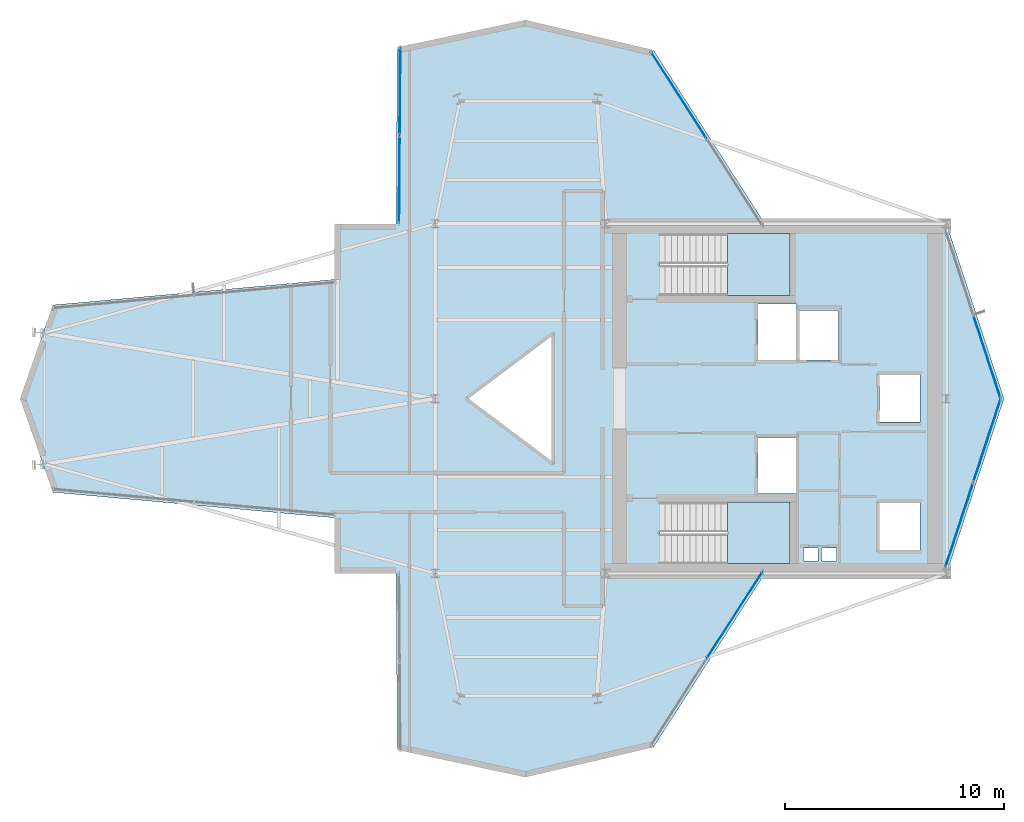
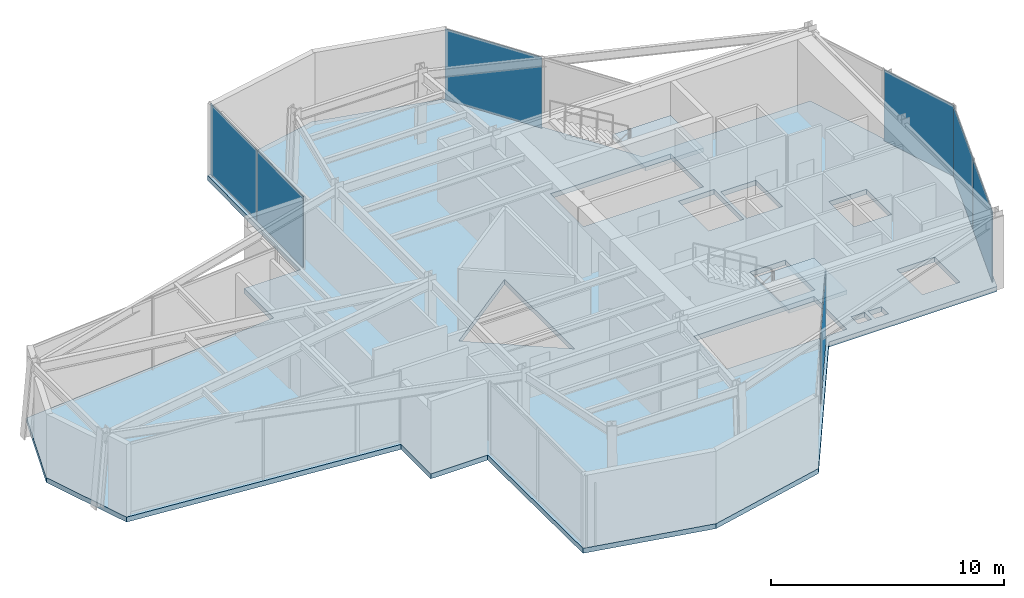
# One storey, part 19 of 23: 7 plates, 3 slabs, 7 elements without a shape of their own.
"""IFC4 building model written with IfcOpenShell, lengths in metres."""

from ifc_helpers import new_model, si_unit, direction, frame, origin, origin_2d, place, context, subcontext, project, spatial, polyline, rectangle, outline, extrude, material, layer, layer_set, type_object, element, aggregate, save


model = new_model("IFC4")

# Units and contexts
model_context = context("Model", 3, precision=1e-05, world=origin(), true_north=direction((0.0, 1.0)))
body_context = subcontext(model_context, "Body", "Model", "MODEL_VIEW")
ifc_project = project(units=[si_unit("LENGTHUNIT", "METRE"), si_unit("AREAUNIT", "SQUARE_METRE"), si_unit("VOLUMEUNIT", "CUBIC_METRE"), si_unit("PLANEANGLEUNIT", "RADIAN"), si_unit("MASSUNIT", "GRAM", prefix="KILO")], contexts=[model_context])

# Site, building, storey
site_placement = place(None, origin())
site = spatial("IfcSite", under=ifc_project, at=site_placement, CompositionType="ELEMENT")
building_placement = place(site_placement, origin())
building = spatial("IfcBuilding", under=site, at=building_placement, Name="Veymaron Broadcast Tower", CompositionType="ELEMENT")
storey_placement = place(building_placement, frame((0.0, 0.0, 199.949951171875)))
storey = spatial("IfcBuildingStorey", under=building, at=storey_placement, Name="L46", CompositionType="ELEMENT", Elevation=199.949951171875)

# Curtain wall, plates
ifc_material_1 = material(Name="Anodised aluminium AA 6063-T6 and laminated low-E dark glass", Category="aluminium")
ifc_layer_1 = layer(ifc_material_1, 0.179931640625)
ifc_layer_set_1 = layer_set([ifc_layer_1], Name="Anodised aluminium AA 6063-T6 and laminated low-E dark glass")
curtain_wall_type = type_object("IfcCurtainWallType", Name="CW-SYS-05", PredefinedType="NOTDEFINED", material=ifc_layer_set_1)
curtain_wall_1_placement = place(storey_placement, origin())
curtain_wall_1 = element("IfcCurtainWall", 1, at=curtain_wall_1_placement, inside=storey, type_object=curtain_wall_type, Name="L46 dark-glass curtain wall CW-L46-E2-1", PredefinedType="NOTDEFINED")
ifc_material_2 = material(Name="Double-silver solar-control dark glass IGU 32 mm", Category="glass")
ifc_layer_2 = layer(ifc_material_2, 0.031982421875)
ifc_layer_set_2 = layer_set([ifc_layer_2], Name="Double-silver solar-control dark glass IGU 32 mm")
plate_type = type_object("IfcPlateType", Name="CW-PNL-02", PredefinedType="CURTAIN_PANEL", material=ifc_layer_set_2)
plate_1_placement = place(storey_placement, frame((55.18359375, 18.227294921875, 0.0400390625), z_axis=(0.0, 0.0, 1.0), x_axis=(0.311771138789, 0.950157227525, 0.0)))
plate_1 = element("IfcPlate", 2, at=plate_1_placement, type_object=plate_type, Name="CW-L46-E2-1 unitised curtain panel 0", PredefinedType="CURTAIN_PANEL", context=body_context, shape_type="SweptSolid", body=[
    extrude(rectangle(XDim=4.02099609375, YDim=0.031982421875, at=origin_2d()), origin(), (0.0, 0.0, 1.0), 3.7099609375),
])
plate_2_placement = place(storey_placement, frame((56.455810546875, 22.104736328125, 0.0400390625), z_axis=(0.0, 0.0, 1.0), x_axis=(0.311771138789, 0.950157227525, 0.0)))
plate_2 = element("IfcPlate", 3, at=plate_2_placement, type_object=plate_type, Name="CW-L46-E2-1 unitised curtain panel 1", PredefinedType="CURTAIN_PANEL", context=body_context, shape_type="SweptSolid", body=[
    extrude(rectangle(XDim=4.02099609375, YDim=0.031982421875, at=origin_2d()), origin(), (0.0, 0.0, 1.0), 3.7099609375),
])
aggregate(curtain_wall_1, [plate_1, plate_2])

# Curtain wall, plate
curtain_wall_2_placement = place(storey_placement, origin())
curtain_wall_2 = element("IfcCurtainWall", 4, at=curtain_wall_2_placement, inside=storey, type_object=curtain_wall_type, Name="L46 dark-glass curtain wall CW-L46-E3-1", PredefinedType="NOTDEFINED")
plate_3_placement = place(storey_placement, frame((56.455810546875, 25.895263671875, 0.0400390625), z_axis=(0.0, 0.0, 1.0), x_axis=(-0.311771138789, 0.950157227525, 0.0)))
plate_3 = element("IfcPlate", 5, at=plate_3_placement, type_object=plate_type, Name="CW-L46-E3-1 unitised curtain panel 0", PredefinedType="CURTAIN_PANEL", context=body_context, shape_type="SweptSolid", body=[
    extrude(rectangle(XDim=4.02099609375, YDim=0.031982421875, at=origin_2d()), origin(), (0.0, 0.0, 1.0), 3.7099609375),
])
aggregate(curtain_wall_2, [plate_3])

curtain_wall_3_placement = place(storey_placement, origin())
curtain_wall_3 = element("IfcCurtainWall", 6, at=curtain_wall_3_placement, inside=storey, type_object=curtain_wall_type, Name="L46 dark-glass curtain wall CW-L46-E5-1", PredefinedType="NOTDEFINED")
plate_4_placement = place(storey_placement, frame((42.343994140625, 37.886962890625, 0.0400390625), z_axis=(0.0, 0.0, 1.0), x_axis=(-0.539961235236, 0.841689886147, 0.0)))
plate_4 = element("IfcPlate", 7, at=plate_4_placement, type_object=plate_type, Name="CW-L46-E5-1 unitised curtain panel 1", PredefinedType="CURTAIN_PANEL", context=body_context, shape_type="SweptSolid", body=[
    extrude(rectangle(XDim=4.66259765625, YDim=0.031982421875, at=origin_2d()), origin(), (0.0, 0.0, 1.0), 3.7099609375),
])
aggregate(curtain_wall_3, [plate_4])

# Curtain wall, plates
curtain_wall_4_placement = place(storey_placement, origin())
curtain_wall_4 = element("IfcCurtainWall", 8, at=curtain_wall_4_placement, inside=storey, type_object=curtain_wall_type, Name="L46 dark-glass curtain wall CW-L46-E8-1", PredefinedType="NOTDEFINED")
plate_5_placement = place(storey_placement, frame((29.5888671875, 38.055419921875, 0.0400390625), z_axis=(0.0, 0.0, 1.0), x_axis=(-0.007138336016, -0.999974521755, 0.0)))
plate_5 = element("IfcPlate", 9, at=plate_5_placement, type_object=plate_type, Name="CW-L46-E8-1 unitised curtain panel 0", PredefinedType="CURTAIN_PANEL", context=body_context, shape_type="SweptSolid", body=[
    extrude(rectangle(XDim=3.9775390625, YDim=0.031982421875, at=origin_2d()), origin(), (0.0, 0.0, 1.0), 3.7099609375),
])
plate_6_placement = place(storey_placement, frame((29.56005859375, 34.017578125, 0.0400390625), z_axis=(0.0, 0.0, 1.0), x_axis=(-0.007138336016, -0.999974521755, 0.0)))
plate_6 = element("IfcPlate", 10, at=plate_6_placement, type_object=plate_type, Name="CW-L46-E8-1 unitised curtain panel 1", PredefinedType="CURTAIN_PANEL", context=body_context, shape_type="SweptSolid", body=[
    extrude(rectangle(XDim=3.9775390625, YDim=0.031982421875, at=origin_2d()), origin(), (0.0, 0.0, 1.0), 3.7099609375),
])
aggregate(curtain_wall_4, [plate_5, plate_6])

# Curtain wall, plate
curtain_wall_5_placement = place(storey_placement, origin())
curtain_wall_5 = element("IfcCurtainWall", 11, at=curtain_wall_5_placement, inside=storey, type_object=curtain_wall_type, Name="L46 dark-glass curtain wall CW-L46-E20-1", PredefinedType="NOTDEFINED")
plate_7_placement = place(storey_placement, frame((44.89404296875, 14.088134765625, 0.0400390625), z_axis=(0.0, 0.0, 1.0), x_axis=(0.539961235236, 0.841689886147, 0.0)))
plate_7 = element("IfcPlate", 12, at=plate_7_placement, type_object=plate_type, Name="CW-L46-E20-1 unitised curtain panel 1", PredefinedType="CURTAIN_PANEL", context=body_context, shape_type="SweptSolid", body=[
    extrude(rectangle(XDim=4.66259765625, YDim=0.031982421875, at=origin_2d()), origin(), (0.0, 0.0, 1.0), 3.7099609375),
])
aggregate(curtain_wall_5, [plate_7])

# Slab
ifc_material_3 = material(Name="Concrete C40/50", Category="concrete")
ifc_layer_3 = layer(ifc_material_3, 0.260009765625)
ifc_layer_set_3 = layer_set([ifc_layer_3], Name="Concrete C40/50")
slab_type_1 = type_object("IfcSlabType", Name="SLAB-FS5", PredefinedType="FLOOR", material=ifc_layer_set_3)
slab_1_placement = place(storey_placement, frame((0.0, 0.0, -0.260009765625)))
element("IfcSlab", 13, at=slab_1_placement, inside=storey, type_object=slab_type_1, Name="L46 structural floor slab", PredefinedType="FLOOR", context=body_context, shape_type="SweptSolid", body=[
    extrude(outline(polyline([(46.286865234375, 16.0), (54.60009765625, 16.0), (57.22509765625, 24.0), (54.60009765625, 32.0), (46.286865234375, 32.0), (41.186767578125, 39.949951171875), (35.324951171875, 41.324951171875), (29.46337890625, 40.074951171875), (29.40576171875, 32.0), (26.60009765625, 32.0), (26.60009765625, 29.45458984375), (13.699951171875, 28.283447265625), (12.199951171875, 24.0), (13.699951171875, 19.716552734375), (26.60009765625, 18.54541015625), (26.60009765625, 16.0), (29.40576171875, 16.0), (29.46337890625, 7.925048828125), (35.324951171875, 6.675048828125), (41.186767578125, 8.050048828125), (46.286865234375, 16.0)]), holes=[polyline([(45.969970703125, 28.330078125), (47.72998046875, 28.330078125), (47.72998046875, 25.77001953125), (45.969970703125, 25.77001953125), (45.969970703125, 28.330078125)]), polyline([(45.969970703125, 22.22998046875), (47.72998046875, 22.22998046875), (47.72998046875, 19.669921875), (45.969970703125, 19.669921875), (45.969970703125, 22.22998046875)]), polyline([(47.8701171875, 28.030029296875), (49.6298828125, 28.030029296875), (49.6298828125, 25.77001953125), (47.8701171875, 25.77001953125), (47.8701171875, 28.030029296875)]), polyline([(51.52001953125, 25.080078125), (53.3798828125, 25.080078125), (53.3798828125, 22.919921875), (51.52001953125, 22.919921875), (51.52001953125, 25.080078125)]), polyline([(51.52001953125, 19.22998046875), (53.3798828125, 19.22998046875), (53.3798828125, 17.070068359375), (51.52001953125, 17.070068359375), (51.52001953125, 19.22998046875)]), polyline([(48.050048828125, 17.159912109375), (48.719970703125, 17.159912109375), (48.719970703125, 16.56005859375), (48.050048828125, 16.56005859375), (48.050048828125, 17.159912109375)]), polyline([(48.8798828125, 17.159912109375), (49.550048828125, 17.159912109375), (49.550048828125, 16.56005859375), (48.8798828125, 16.56005859375), (48.8798828125, 17.159912109375)]), polyline([(36.60009765625, 27.0), (36.60009765625, 21.0), (32.60009765625, 24.0), (36.60009765625, 27.0)]), polyline([(41.489990234375, 31.550048828125), (47.43994140625, 31.550048828125), (47.43994140625, 28.72998046875), (41.489990234375, 28.72998046875), (41.489990234375, 31.550048828125)]), polyline([(41.489990234375, 19.27001953125), (47.43994140625, 19.27001953125), (47.43994140625, 16.449951171875), (41.489990234375, 16.449951171875), (41.489990234375, 19.27001953125)])]), origin(), (0.0, 0.0, 1.0), 0.260009765625),
])

# Stair, slab
ifc_material_4 = material(Name="Concrete C50/60", Category="concrete")
stair_type_1 = type_object("IfcStairType", Name="STAIR-CORE-1", PredefinedType="HALF_TURN_STAIR", material=ifc_material_4)
stair_1_placement = place(storey_placement, origin())
stair_1 = element("IfcStair", 14, at=stair_1_placement, inside=storey, type_object=stair_type_1, Name="L46 North protected dog-leg exit stair ST1", PredefinedType="HALF_TURN_STAIR")
ifc_layer_4 = layer(ifc_material_4, 0.199951171875)
ifc_layer_set_4 = layer_set([ifc_layer_4], Name="Concrete C50/60")
slab_type_2 = type_object("IfcSlabType", Name="SLAB-STAIR-LDG", PredefinedType="LANDING", material=ifc_layer_set_4)
slab_2_placement = place(storey_placement, frame((0.0, 0.0, 1.824951171875)))
slab_2 = element("IfcSlab", 15, at=slab_2_placement, type_object=slab_type_2, Name="ST1 landing 1", PredefinedType="LANDING", context=body_context, shape_type="SweptSolid", body=[
    extrude(outline(polyline([(44.56494140625, 28.72998046875), (47.43994140625, 28.72998046875), (47.43994140625, 31.550048828125), (44.56494140625, 31.550048828125), (44.56494140625, 28.72998046875)])), origin(), (0.0, 0.0, 1.0), 0.2001953125),
])
aggregate(stair_1, [slab_2])

stair_type_2 = type_object("IfcStairType", Name="STAIR-CORE-2", PredefinedType="HALF_TURN_STAIR", material=ifc_material_4)
stair_2_placement = place(storey_placement, origin())
stair_2 = element("IfcStair", 16, at=stair_2_placement, inside=storey, type_object=stair_type_2, Name="L46 South protected dog-leg exit stair ST2", PredefinedType="HALF_TURN_STAIR")
slab_3_placement = place(storey_placement, frame((0.0, 0.0, 1.824951171875)))
slab_3 = element("IfcSlab", 17, at=slab_3_placement, type_object=slab_type_2, Name="ST2 landing 1", PredefinedType="LANDING", context=body_context, shape_type="SweptSolid", body=[
    extrude(outline(polyline([(44.56494140625, 16.449951171875), (47.43994140625, 16.449951171875), (47.43994140625, 19.27001953125), (44.56494140625, 19.27001953125), (44.56494140625, 16.449951171875)])), origin(), (0.0, 0.0, 1.0), 0.2001953125),
])
aggregate(stair_2, [slab_3])

save(model, "model.ifc")
